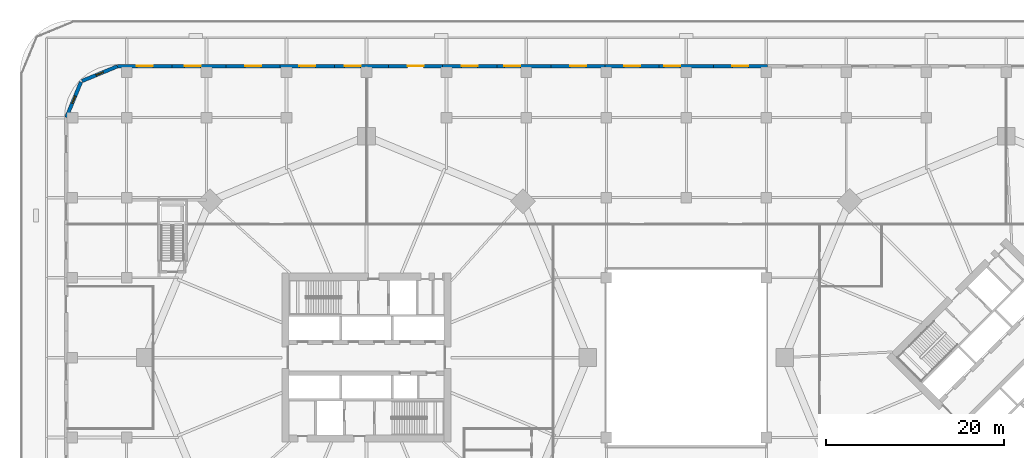
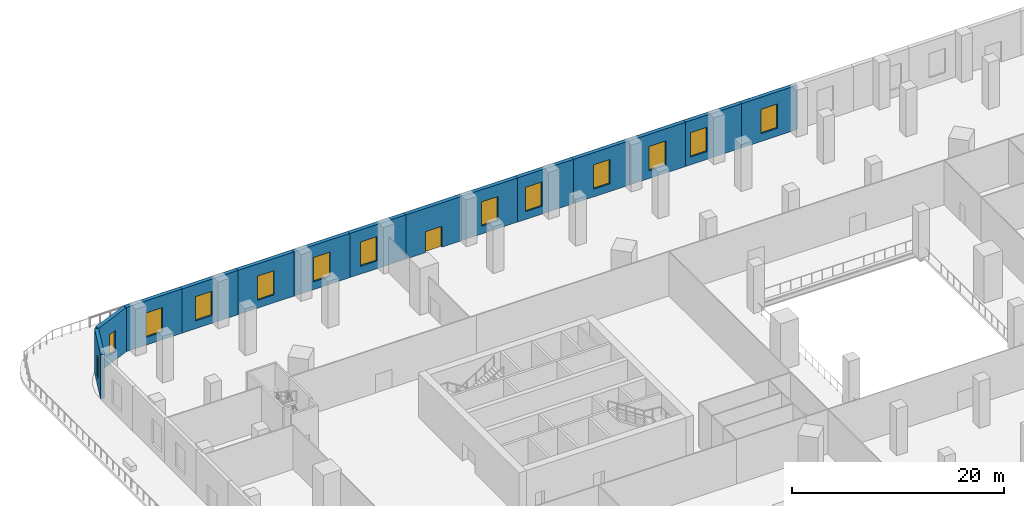
# One storey, part 10 of 20: 14 walls, 13 windows, 1 door, 14 openings.
"""IFC4 building model written with IfcOpenShell, lengths in metres."""

import ifcopenshell
import ifcopenshell.guid

model = None  # the IFC model being written
_history = None  # IfcOwnerHistory: only IFC2X3 demands one
_inside = {}  # id of a spatial element -> (the spatial element, [elements in it])
_under = {}  # id of a project, library or spatial element -> (it, [spatial elements below it])
_declared = {}  # id of a project -> (the project, [libraries it declares])
_typed = {}  # id of a type object -> (the type object, [elements of that type])
_made_of = {}  # id of a material, layer set ... -> (it, [elements and type objects made of it])


def new_model(schema):
    """Start an empty IFC model of exactly this schema.

    Asked for "IFC4X3", IfcOpenShell would pick the latest addendum, in which some entities
    have other attributes; the version numbers below select the first issue.
    IFC2X3 requires an IfcOwnerHistory on every rooted entity: one is made here for all.
    """
    global model, _history
    if schema == "IFC4X3":
        model = ifcopenshell.file(schema_version=(4, 3, 0, 0))
    else:
        model = ifcopenshell.file(schema=schema)
    _inside.clear()
    _under.clear()
    _declared.clear()
    _typed.clear()
    _made_of.clear()
    _history = None
    if model.schema == "IFC2X3":
        org = make("IfcOrganization", Name="unknown")
        user = make(
            "IfcPersonAndOrganization",
            ThePerson=make("IfcPerson", FamilyName="unknown"),
            TheOrganization=org,
        )
        app = make(
            "IfcApplication",
            ApplicationDeveloper=org,
            Version="unknown",
            ApplicationFullName="unknown",
            ApplicationIdentifier="unknown",
        )
        _history = make(
            "IfcOwnerHistory",
            OwningUser=user,
            OwningApplication=app,
            ChangeAction="ADDED",
            CreationDate=0,
        )
    return model


def make(cls, **values):
    """One entity of the class cls with the attributes given. An attribute that is None is left unset."""
    return model.create_entity(
        cls, **{name: value for name, value in values.items() if value is not None}
    )


def rooted(cls, **values):
    """An entity with a GlobalId (a new one), such as an element, a storey or a relation."""
    return make(cls, GlobalId=ifcopenshell.guid.new(), OwnerHistory=_history, **values)


def si_unit(unit_type, name, prefix=None):
    """IfcSIUnit, for example si_unit("LENGTHUNIT", "METRE", prefix="MILLI")."""
    return make("IfcSIUnit", UnitType=unit_type, Prefix=prefix, Name=name)


def assignment(units):
    """IfcUnitAssignment: the units of a project."""
    return None if units is None else make("IfcUnitAssignment", Units=units)


def point(xyz):
    """IfcCartesianPoint."""
    return None if xyz is None else make("IfcCartesianPoint", Coordinates=xyz)


def direction(xyz):
    """IfcDirection."""
    return None if xyz is None else make("IfcDirection", DirectionRatios=xyz)


def frame(location, z_axis=None, x_axis=None):
    """IfcAxis2Placement3D, a coordinate frame: its origin and axes. An axis left out is left unset."""
    return make(
        "IfcAxis2Placement3D",
        Location=point(location),
        Axis=direction(z_axis),
        RefDirection=direction(x_axis),
    )


def frame_2d(location, x_axis=None):
    """IfcAxis2Placement2D, a coordinate frame in the plane: its origin and x axis."""
    return make(
        "IfcAxis2Placement2D", Location=point(location), RefDirection=direction(x_axis)
    )


def origin():
    """The frame at (0, 0, 0) with its axes left unset."""
    return frame((0.0, 0.0, 0.0))


def place(relative_to, where):
    """IfcLocalPlacement: puts the frame where relative to a parent placement (None: the world)."""
    return make(
        "IfcLocalPlacement", PlacementRelTo=relative_to, RelativePlacement=where
    )


def context(
    kind, dimensions, precision=None, world=None, true_north=None, identifier=None
):
    """IfcGeometricRepresentationContext, for example the 3D "Model" context."""
    return make(
        "IfcGeometricRepresentationContext",
        ContextIdentifier=identifier,
        ContextType=kind,
        CoordinateSpaceDimension=dimensions,
        Precision=precision,
        WorldCoordinateSystem=world,
        TrueNorth=true_north,
    )


def subcontext(parent, identifier, kind, view, scale=None):
    """IfcGeometricRepresentationSubContext, for example "Body" below "Model"."""
    return make(
        "IfcGeometricRepresentationSubContext",
        ContextIdentifier=identifier,
        ContextType=kind,
        ParentContext=parent,
        TargetScale=scale,
        TargetView=view,
    )


def project(units=None, contexts=None):
    """IfcProject with its units and contexts."""
    return rooted(
        "IfcProject",
        Name="project",
        RepresentationContexts=contexts,
        UnitsInContext=assignment(units),
    )


def spatial(cls, under=None, at=None, **own):
    """A site, building, storey or space (cls), placed at a placement, below another one or the project."""
    s = rooted(cls, ObjectPlacement=at, **own)
    if under is not None:
        _under.setdefault(under.id(), (under, []))[1].append(s)
    return s


def profile(cls, at=None, kind="AREA", **sizes):
    """A parametric profile (cls). Its sizes go by their IFC names, for example OverallWidth=200.0."""
    return make(cls, ProfileType=kind, Position=at, **sizes)


def rectangle(**sizes):
    """IfcRectangleProfileDef."""
    return profile("IfcRectangleProfileDef", **sizes)


def extrude(swept, where, along, depth):
    """IfcExtrudedAreaSolid: the profile swept, set in the frame where, extruded along a direction by depth."""
    return make(
        "IfcExtrudedAreaSolid",
        SweptArea=swept,
        Position=where,
        ExtrudedDirection=direction(along),
        Depth=depth,
    )


def shape(context_of_items, identifier, shape_type, items):
    """IfcShapeRepresentation: the items that make up one representation, for example the "Body"."""
    return make(
        "IfcShapeRepresentation",
        ContextOfItems=context_of_items,
        RepresentationIdentifier=identifier,
        RepresentationType=shape_type,
        Items=items,
    )


def material(Name=None, Category=None):
    """IfcMaterial."""
    return make("IfcMaterial", Name=Name, Category=Category)


def layer(
    of_material, thickness, ventilated=None, Name=None, Category=None, Priority=None
):
    """IfcMaterialLayer: one layer of a wall or slab, of a material (None: an air gap)."""
    return make(
        "IfcMaterialLayer",
        Material=of_material,
        LayerThickness=thickness,
        IsVentilated=ventilated,
        Name=Name,
        Category=Category,
        Priority=Priority,
    )


def layer_set(layers, Name=None):
    """IfcMaterialLayerSet."""
    return make("IfcMaterialLayerSet", MaterialLayers=layers, LayerSetName=Name)


def made_of(thing, what):
    """Note that an element or type object is made of a material, layer set ...; save() writes the relation."""
    if what is not None:
        _made_of.setdefault(what.id(), (what, []))[1].append(thing)
    return thing


def type_object(cls, material=None, **own):
    """A type object (cls), such as IfcWallType, which elements share."""
    return made_of(rooted(cls, **own), material)


def element(
    cls,
    number,
    at=None,
    inside=None,
    cuts=None,
    type_object=None,
    material=None,
    context=None,
    identifier="Body",
    shape_type=None,
    held_by="IfcProductDefinitionShape",
    body=None,
    shapes=None,
    **own,
):
    """One element of the class cls, such as IfcWall. Its Tag is "e" and its number.

    at: its placement. inside: the storey or other place that contains it. cuts: it is an
    opening in that element (IfcRelVoidsElement). A single representation is given by context,
    identifier, shape_type and body (its items); several are given by shapes. held_by: the class
    of the entity that holds the representations. save() writes the other relations.
    """
    e = rooted(cls, Tag="e%d" % number, ObjectPlacement=at, **own)
    if body is not None:
        shapes = [shape(context, identifier, shape_type, body)]
    if shapes is not None:
        e.Representation = make(held_by, Representations=shapes)
    if inside is not None:
        _inside.setdefault(inside.id(), (inside, []))[1].append(e)
    if cuts is not None:
        rooted(
            "IfcRelVoidsElement", RelatingBuildingElement=cuts, RelatedOpeningElement=e
        )
    if type_object is not None:
        _typed.setdefault(type_object.id(), (type_object, []))[1].append(e)
    return made_of(e, material)


def fill(opening, filler):
    """IfcRelFillsElement: the door or window that sits in an opening."""
    return rooted(
        "IfcRelFillsElement",
        RelatingOpeningElement=opening,
        RelatedBuildingElement=filler,
    )


def aggregate(whole, parts):
    """IfcRelAggregates: a whole, such as a stair, and the parts it consists of."""
    return rooted("IfcRelAggregates", RelatingObject=whole, RelatedObjects=parts)


def save(model, path):
    """Write the relations noted so far, then the file.

    IfcRelAggregates (storeys below a building ...), IfcRelContainedInSpatialStructure (elements
    in a storey), IfcRelDefinesByType, IfcRelAssociatesMaterial and IfcRelDeclares: one each for
    every whole, place, type object, material and project.
    """
    for whole, parts in _under.values():
        aggregate(whole, parts)
    for where, things in _inside.values():
        rooted(
            "IfcRelContainedInSpatialStructure",
            RelatedElements=things,
            RelatingStructure=where,
        )
    for kind, things in _typed.values():
        rooted("IfcRelDefinesByType", RelatedObjects=things, RelatingType=kind)
    for what, things in _made_of.values():
        rooted("IfcRelAssociatesMaterial", RelatedObjects=things, RelatingMaterial=what)
    for by, libraries in _declared.values():
        rooted("IfcRelDeclares", RelatingContext=by, RelatedDefinitions=libraries)
    model.write(path)


model = new_model("IFC4")

# Units and contexts
model_context = context("Model", 3, precision=1e-05, world=origin(), true_north=direction((0.0, 1.0)))
body_context = subcontext(model_context, "Body", "Model", "MODEL_VIEW")
ifc_project = project(units=[si_unit("LENGTHUNIT", "METRE"), si_unit("AREAUNIT", "SQUARE_METRE"), si_unit("VOLUMEUNIT", "CUBIC_METRE"), si_unit("PLANEANGLEUNIT", "RADIAN"), si_unit("MASSUNIT", "GRAM", prefix="KILO")], contexts=[model_context])

# Site, building, storey
site_placement = place(None, origin())
site = spatial("IfcSite", under=ifc_project, at=site_placement, CompositionType="ELEMENT")
building_placement = place(site_placement, origin())
building = spatial("IfcBuilding", under=site, at=building_placement, Name="Ogive Gate Towers", CompositionType="ELEMENT")
storey_placement = place(building_placement, frame((0.0, 0.0, 7.199951171875)))
storey = spatial("IfcBuildingStorey", under=building, at=storey_placement, Name="L01", CompositionType="ELEMENT", Elevation=7.199951171875)

# Wall, opening, window
ifc_material_1 = material(Name="Precast concrete C40/50", Category="concrete")
ifc_layer = layer(ifc_material_1, 0.39990234375)
ifc_layer_set = layer_set([ifc_layer], Name="Podium wall 400")
wall_type = type_object("IfcWallType", Name="Podium wall 400", PredefinedType="SOLIDWALL", material=ifc_layer_set)
wall_1_placement = place(storey_placement, frame((9.142822265625, 32.800048828125, 0.0), z_axis=(0.0, 0.0, 1.0), x_axis=(-1.0, 0.0, 0.0)))
wall_1 = element("IfcWall", 1, at=wall_1_placement, inside=storey, type_object=wall_type, Name="Podium wall", PredefinedType="SOLIDWALL", context=body_context, shape_type="SweptSolid", body=[
    extrude(rectangle(XDim=6.09521484375, YDim=0.39990234375, at=frame_2d((3.047607421875, 0.0))), origin(), (0.0, 0.0, 1.0), 5.10009765625),
])
opening_1_placement = place(wall_1_placement, frame((2.147705078125, 0.0, 0.89990234375)))
opening_1 = element("IfcOpeningElement", 2, at=opening_1_placement, cuts=wall_1, Name="Opening WN1", PredefinedType="OPENING", context=body_context, shape_type="SweptSolid", body=[
    extrude(rectangle(XDim=1.800048828125, YDim=2.800048828125, at=frame_2d((0.89990234375, 1.39990234375))), frame((0.0, 0.2099609375, 0.0), z_axis=(0.0, -1.0, 0.0), x_axis=(1.0, 0.0, 0.0)), (0.0, 0.0, 1.0), 0.419921875),
])
ifc_material_2 = material(Name="Clear glass", Category="glass")
window_type_1 = type_object("IfcWindowType", Name="Podium window 1800 x 2800", PartitioningType="SINGLE_PANEL", PredefinedType="WINDOW", material=ifc_material_2)
window_1_placement = place(opening_1_placement, origin())
window_1 = element("IfcWindow", 3, at=window_1_placement, inside=storey, type_object=window_type_1, Name="Podium window", OverallHeight=2.800048828125, OverallWidth=1.800048828125, PartitioningType="SINGLE_PANEL", PredefinedType="WINDOW", context=body_context, shape_type="SweptSolid", body=[
    extrude(rectangle(XDim=1.800048828125, YDim=2.800048828125, at=frame_2d((0.89990234375, 1.39990234375))), frame((0.0, 0.030029296875, 0.0), z_axis=(0.0, -1.0, 0.0), x_axis=(1.0, 0.0, 0.0)), (0.0, 0.0, 1.0), 0.06005859375),
])
fill(opening_1, window_1)

wall_2_placement = place(storey_placement, frame((3.047607421875, 32.800048828125, 0.0), z_axis=(0.0, 0.0, 1.0), x_axis=(-1.0, 0.0, 0.0)))
wall_2 = element("IfcWall", 4, at=wall_2_placement, inside=storey, type_object=wall_type, Name="Podium wall", PredefinedType="SOLIDWALL", context=body_context, shape_type="SweptSolid", body=[
    extrude(rectangle(XDim=6.09521484375, YDim=0.39990234375, at=frame_2d((3.047607421875, 0.0))), origin(), (0.0, 0.0, 1.0), 5.10009765625),
])
opening_2_placement = place(wall_2_placement, frame((3.74755859375, 0.0, 0.89990234375)))
opening_2 = element("IfcOpeningElement", 5, at=opening_2_placement, cuts=wall_2, Name="Opening WN1", PredefinedType="OPENING", context=body_context, shape_type="SweptSolid", body=[
    extrude(rectangle(XDim=1.800048828125, YDim=2.800048828125, at=frame_2d((0.89990234375, 1.39990234375))), frame((0.0, 0.2099609375, 0.0), z_axis=(0.0, -1.0, 0.0), x_axis=(1.0, 0.0, 0.0)), (0.0, 0.0, 1.0), 0.419921875),
])
window_2_placement = place(opening_2_placement, origin())
window_2 = element("IfcWindow", 6, at=window_2_placement, inside=storey, type_object=window_type_1, Name="Podium window", OverallHeight=2.800048828125, OverallWidth=1.800048828125, PartitioningType="SINGLE_PANEL", PredefinedType="WINDOW", context=body_context, shape_type="SweptSolid", body=[
    extrude(rectangle(XDim=1.800048828125, YDim=2.800048828125, at=frame_2d((0.89990234375, 1.39990234375))), frame((0.0, 0.030029296875, 0.0), z_axis=(0.0, -1.0, 0.0), x_axis=(1.0, 0.0, 0.0)), (0.0, 0.0, 1.0), 0.06005859375),
])
fill(opening_2, window_2)

wall_3_placement = place(storey_placement, frame((-3.047607421875, 32.800048828125, 0.0), z_axis=(0.0, 0.0, 1.0), x_axis=(-1.0, 0.0, 0.0)))
wall_3 = element("IfcWall", 7, at=wall_3_placement, inside=storey, type_object=wall_type, Name="Podium wall", PredefinedType="SOLIDWALL", context=body_context, shape_type="SweptSolid", body=[
    extrude(rectangle(XDim=6.09521484375, YDim=0.39990234375, at=frame_2d((3.047607421875, 0.0))), origin(), (0.0, 0.0, 1.0), 5.10009765625),
])
opening_3_placement = place(wall_3_placement, frame((2.147705078125, 0.0, 0.89990234375)))
opening_3 = element("IfcOpeningElement", 8, at=opening_3_placement, cuts=wall_3, Name="Opening WN1", PredefinedType="OPENING", context=body_context, shape_type="SweptSolid", body=[
    extrude(rectangle(XDim=1.800048828125, YDim=2.800048828125, at=frame_2d((0.89990234375, 1.39990234375))), frame((0.0, 0.2099609375, 0.0), z_axis=(0.0, -1.0, 0.0), x_axis=(1.0, 0.0, 0.0)), (0.0, 0.0, 1.0), 0.419921875),
])
window_3_placement = place(opening_3_placement, origin())
window_3 = element("IfcWindow", 9, at=window_3_placement, inside=storey, type_object=window_type_1, Name="Podium window", OverallHeight=2.800048828125, OverallWidth=1.800048828125, PartitioningType="SINGLE_PANEL", PredefinedType="WINDOW", context=body_context, shape_type="SweptSolid", body=[
    extrude(rectangle(XDim=1.800048828125, YDim=2.800048828125, at=frame_2d((0.89990234375, 1.39990234375))), frame((0.0, 0.030029296875, 0.0), z_axis=(0.0, -1.0, 0.0), x_axis=(1.0, 0.0, 0.0)), (0.0, 0.0, 1.0), 0.06005859375),
])
fill(opening_3, window_3)

wall_4_placement = place(storey_placement, frame((-9.142822265625, 32.800048828125, 0.0), z_axis=(0.0, 0.0, 1.0), x_axis=(-1.0, 0.0, 0.0)))
wall_4 = element("IfcWall", 10, at=wall_4_placement, inside=storey, type_object=wall_type, Name="Podium wall", PredefinedType="SOLIDWALL", context=body_context, shape_type="SweptSolid", body=[
    extrude(rectangle(XDim=6.09521484375, YDim=0.39990234375, at=frame_2d((3.047607421875, 0.0))), origin(), (0.0, 0.0, 1.0), 5.10009765625),
])
opening_4_placement = place(wall_4_placement, frame((2.147705078125, 0.0, 0.89990234375)))
opening_4 = element("IfcOpeningElement", 11, at=opening_4_placement, cuts=wall_4, Name="Opening WN1", PredefinedType="OPENING", context=body_context, shape_type="SweptSolid", body=[
    extrude(rectangle(XDim=1.800048828125, YDim=2.800048828125, at=frame_2d((0.89990234375, 1.39990234375))), frame((0.0, 0.2099609375, 0.0), z_axis=(0.0, -1.0, 0.0), x_axis=(1.0, 0.0, 0.0)), (0.0, 0.0, 1.0), 0.419921875),
])
window_4_placement = place(opening_4_placement, origin())
window_4 = element("IfcWindow", 12, at=window_4_placement, inside=storey, type_object=window_type_1, Name="Podium window", OverallHeight=2.800048828125, OverallWidth=1.800048828125, PartitioningType="SINGLE_PANEL", PredefinedType="WINDOW", context=body_context, shape_type="SweptSolid", body=[
    extrude(rectangle(XDim=1.800048828125, YDim=2.800048828125, at=frame_2d((0.89990234375, 1.39990234375))), frame((0.0, 0.030029296875, 0.0), z_axis=(0.0, -1.0, 0.0), x_axis=(1.0, 0.0, 0.0)), (0.0, 0.0, 1.0), 0.06005859375),
])
fill(opening_4, window_4)

wall_5_placement = place(storey_placement, frame((-15.238037109375, 32.800048828125, 0.0), z_axis=(0.0, 0.0, 1.0), x_axis=(-1.0, 0.0, 0.0)))
wall_5 = element("IfcWall", 13, at=wall_5_placement, inside=storey, type_object=wall_type, Name="Podium wall", PredefinedType="SOLIDWALL", context=body_context, shape_type="SweptSolid", body=[
    extrude(rectangle(XDim=6.09521484375, YDim=0.39990234375, at=frame_2d((3.047607421875, 0.0))), origin(), (0.0, 0.0, 1.0), 5.10009765625),
])
opening_5_placement = place(wall_5_placement, frame((3.447509765625, 0.0, 0.89990234375)))
opening_5 = element("IfcOpeningElement", 14, at=opening_5_placement, cuts=wall_5, Name="Opening WN1", PredefinedType="OPENING", context=body_context, shape_type="SweptSolid", body=[
    extrude(rectangle(XDim=1.800048828125, YDim=2.800048828125, at=frame_2d((0.89990234375, 1.39990234375))), frame((0.0, 0.2099609375, 0.0), z_axis=(0.0, -1.0, 0.0), x_axis=(1.0, 0.0, 0.0)), (0.0, 0.0, 1.0), 0.419921875),
])
window_5_placement = place(opening_5_placement, origin())
window_5 = element("IfcWindow", 15, at=window_5_placement, inside=storey, type_object=window_type_1, Name="Podium window", OverallHeight=2.800048828125, OverallWidth=1.800048828125, PartitioningType="SINGLE_PANEL", PredefinedType="WINDOW", context=body_context, shape_type="SweptSolid", body=[
    extrude(rectangle(XDim=1.800048828125, YDim=2.800048828125, at=frame_2d((0.89990234375, 1.39990234375))), frame((0.0, 0.030029296875, 0.0), z_axis=(0.0, -1.0, 0.0), x_axis=(1.0, 0.0, 0.0)), (0.0, 0.0, 1.0), 0.06005859375),
])
fill(opening_5, window_5)

wall_6_placement = place(storey_placement, frame((-21.333251953125, 32.800048828125, 0.0), z_axis=(0.0, 0.0, 1.0), x_axis=(-1.0, 0.0, 0.0)))
wall_6 = element("IfcWall", 16, at=wall_6_placement, inside=storey, type_object=wall_type, Name="Podium wall", PredefinedType="SOLIDWALL", context=body_context, shape_type="SweptSolid", body=[
    extrude(rectangle(XDim=6.095458984375, YDim=0.39990234375, at=frame_2d((3.0478515625, 0.0))), origin(), (0.0, 0.0, 1.0), 5.10009765625),
])
opening_6_placement = place(wall_6_placement, frame((2.147705078125, 0.0, 0.89990234375)))
opening_6 = element("IfcOpeningElement", 17, at=opening_6_placement, cuts=wall_6, Name="Opening WN1", PredefinedType="OPENING", context=body_context, shape_type="SweptSolid", body=[
    extrude(rectangle(XDim=1.800048828125, YDim=2.800048828125, at=frame_2d((0.89990234375, 1.39990234375))), frame((0.0, 0.2099609375, 0.0), z_axis=(0.0, -1.0, 0.0), x_axis=(1.0, 0.0, 0.0)), (0.0, 0.0, 1.0), 0.419921875),
])
window_6_placement = place(opening_6_placement, origin())
window_6 = element("IfcWindow", 18, at=window_6_placement, inside=storey, type_object=window_type_1, Name="Podium window", OverallHeight=2.800048828125, OverallWidth=1.800048828125, PartitioningType="SINGLE_PANEL", PredefinedType="WINDOW", context=body_context, shape_type="SweptSolid", body=[
    extrude(rectangle(XDim=1.800048828125, YDim=2.800048828125, at=frame_2d((0.89990234375, 1.39990234375))), frame((0.0, 0.030029296875, 0.0), z_axis=(0.0, -1.0, 0.0), x_axis=(1.0, 0.0, 0.0)), (0.0, 0.0, 1.0), 0.06005859375),
])
fill(opening_6, window_6)

# Wall, opening, door
wall_7_placement = place(storey_placement, frame((-27.4287109375, 32.800048828125, 0.0), z_axis=(0.0, 0.0, 1.0), x_axis=(-1.0, 0.0, 0.0)))
wall_7 = element("IfcWall", 19, at=wall_7_placement, inside=storey, type_object=wall_type, Name="Podium wall", PredefinedType="SOLIDWALL", context=body_context, shape_type="SweptSolid", body=[
    extrude(rectangle(XDim=6.094970703125, YDim=0.39990234375, at=frame_2d((3.04736328125, 0.0))), origin(), (0.0, 0.0, 1.0), 5.10009765625),
])
opening_7_placement = place(wall_7_placement, frame((2.147705078125, 0.0, 0.0)))
opening_7 = element("IfcOpeningElement", 20, at=opening_7_placement, cuts=wall_7, Name="Opening ED3-L01-03", PredefinedType="OPENING", context=body_context, shape_type="SweptSolid", body=[
    extrude(rectangle(XDim=1.800048828125, YDim=2.39990234375, at=frame_2d((0.89990234375, 1.199951171875))), frame((0.0, 0.2099609375, 0.0), z_axis=(0.0, -1.0, 0.0), x_axis=(1.0, 0.0, 0.0)), (0.0, 0.0, 1.0), 0.419921875),
])
ifc_material_3 = material(Name="Pale metal aluminium", Category="aluminium")
door_type = type_object("IfcDoorType", Name="Terrace door 1800 x 2400", OperationType="DOUBLE_DOOR_SINGLE_SWING", PredefinedType="DOOR", material=ifc_material_3)
door_placement = place(opening_7_placement, origin())
door = element("IfcDoor", 21, at=door_placement, inside=storey, type_object=door_type, Name="Exterior door", OperationType="SINGLE_SWING_LEFT", OverallHeight=2.39990234375, OverallWidth=1.800048828125, PredefinedType="DOOR", context=body_context, shape_type="SweptSolid", body=[
    extrude(rectangle(XDim=1.800048828125, YDim=2.39990234375, at=frame_2d((0.89990234375, 1.199951171875))), frame((0.0, 0.02490234375, 0.0), z_axis=(0.0, -1.0, 0.0), x_axis=(1.0, 0.0, 0.0)), (0.0, 0.0, 1.0), 0.050048828125),
])
fill(opening_7, door)

# Wall, opening, window
wall_8_placement = place(storey_placement, frame((-33.523681640625, 32.800048828125, 0.0), z_axis=(0.0, 0.0, 1.0), x_axis=(-1.0, 0.0, 0.0)))
wall_8 = element("IfcWall", 22, at=wall_8_placement, inside=storey, type_object=wall_type, Name="Podium wall", PredefinedType="SOLIDWALL", context=body_context, shape_type="SweptSolid", body=[
    extrude(rectangle(XDim=6.09521484375, YDim=0.39990234375, at=frame_2d((3.047607421875, 0.0))), origin(), (0.0, 0.0, 1.0), 5.10009765625),
])
opening_8_placement = place(wall_8_placement, frame((3.147705078125, 0.0, 0.89990234375)))
opening_8 = element("IfcOpeningElement", 23, at=opening_8_placement, cuts=wall_8, Name="Opening WN1", PredefinedType="OPENING", context=body_context, shape_type="SweptSolid", body=[
    extrude(rectangle(XDim=1.800048828125, YDim=2.800048828125, at=frame_2d((0.89990234375, 1.39990234375))), frame((0.0, 0.2099609375, 0.0), z_axis=(0.0, -1.0, 0.0), x_axis=(1.0, 0.0, 0.0)), (0.0, 0.0, 1.0), 0.419921875),
])
window_7_placement = place(opening_8_placement, origin())
window_7 = element("IfcWindow", 24, at=window_7_placement, inside=storey, type_object=window_type_1, Name="Podium window", OverallHeight=2.800048828125, OverallWidth=1.800048828125, PartitioningType="SINGLE_PANEL", PredefinedType="WINDOW", context=body_context, shape_type="SweptSolid", body=[
    extrude(rectangle(XDim=1.800048828125, YDim=2.800048828125, at=frame_2d((0.89990234375, 1.39990234375))), frame((0.0, 0.030029296875, 0.0), z_axis=(0.0, -1.0, 0.0), x_axis=(1.0, 0.0, 0.0)), (0.0, 0.0, 1.0), 0.06005859375),
])
fill(opening_8, window_7)

wall_9_placement = place(storey_placement, frame((-39.618896484375, 32.800048828125, 0.0), z_axis=(0.0, 0.0, 1.0), x_axis=(-1.0, 0.0, 0.0)))
wall_9 = element("IfcWall", 25, at=wall_9_placement, inside=storey, type_object=wall_type, Name="Podium wall", PredefinedType="SOLIDWALL", context=body_context, shape_type="SweptSolid", body=[
    extrude(rectangle(XDim=6.095458984375, YDim=0.39990234375, at=frame_2d((3.0478515625, 0.0))), origin(), (0.0, 0.0, 1.0), 5.10009765625),
])
opening_9_placement = place(wall_9_placement, frame((2.147705078125, 0.0, 0.89990234375)))
opening_9 = element("IfcOpeningElement", 26, at=opening_9_placement, cuts=wall_9, Name="Opening WN1", PredefinedType="OPENING", context=body_context, shape_type="SweptSolid", body=[
    extrude(rectangle(XDim=1.800048828125, YDim=2.800048828125, at=frame_2d((0.89990234375, 1.39990234375))), frame((0.0, 0.2099609375, 0.0), z_axis=(0.0, -1.0, 0.0), x_axis=(1.0, 0.0, 0.0)), (0.0, 0.0, 1.0), 0.419921875),
])
window_8_placement = place(opening_9_placement, origin())
window_8 = element("IfcWindow", 27, at=window_8_placement, inside=storey, type_object=window_type_1, Name="Podium window", OverallHeight=2.800048828125, OverallWidth=1.800048828125, PartitioningType="SINGLE_PANEL", PredefinedType="WINDOW", context=body_context, shape_type="SweptSolid", body=[
    extrude(rectangle(XDim=1.800048828125, YDim=2.800048828125, at=frame_2d((0.89990234375, 1.39990234375))), frame((0.0, 0.030029296875, 0.0), z_axis=(0.0, -1.0, 0.0), x_axis=(1.0, 0.0, 0.0)), (0.0, 0.0, 1.0), 0.06005859375),
])
fill(opening_9, window_8)

wall_10_placement = place(storey_placement, frame((-45.71435546875, 32.800048828125, 0.0), z_axis=(0.0, 0.0, 1.0), x_axis=(-1.0, 0.0, 0.0)))
wall_10 = element("IfcWall", 28, at=wall_10_placement, inside=storey, type_object=wall_type, Name="Podium wall", PredefinedType="SOLIDWALL", context=body_context, shape_type="SweptSolid", body=[
    extrude(rectangle(XDim=6.09521484375, YDim=0.39990234375, at=frame_2d((3.047607421875, 0.0))), origin(), (0.0, 0.0, 1.0), 5.10009765625),
])
opening_10_placement = place(wall_10_placement, frame((2.147705078125, 0.0, 0.89990234375)))
opening_10 = element("IfcOpeningElement", 29, at=opening_10_placement, cuts=wall_10, Name="Opening WN1", PredefinedType="OPENING", context=body_context, shape_type="SweptSolid", body=[
    extrude(rectangle(XDim=1.800048828125, YDim=2.800048828125, at=frame_2d((0.89990234375, 1.39990234375))), frame((0.0, 0.2099609375, 0.0), z_axis=(0.0, -1.0, 0.0), x_axis=(1.0, 0.0, 0.0)), (0.0, 0.0, 1.0), 0.419921875),
])
window_9_placement = place(opening_10_placement, origin())
window_9 = element("IfcWindow", 30, at=window_9_placement, inside=storey, type_object=window_type_1, Name="Podium window", OverallHeight=2.800048828125, OverallWidth=1.800048828125, PartitioningType="SINGLE_PANEL", PredefinedType="WINDOW", context=body_context, shape_type="SweptSolid", body=[
    extrude(rectangle(XDim=1.800048828125, YDim=2.800048828125, at=frame_2d((0.89990234375, 1.39990234375))), frame((0.0, 0.030029296875, 0.0), z_axis=(0.0, -1.0, 0.0), x_axis=(1.0, 0.0, 0.0)), (0.0, 0.0, 1.0), 0.06005859375),
])
fill(opening_10, window_9)

wall_11_placement = place(storey_placement, frame((-51.8095703125, 32.800048828125, 0.0), z_axis=(0.0, 0.0, 1.0), x_axis=(-1.0, 0.0, 0.0)))
wall_11 = element("IfcWall", 31, at=wall_11_placement, inside=storey, type_object=wall_type, Name="Podium wall", PredefinedType="SOLIDWALL", context=body_context, shape_type="SweptSolid", body=[
    extrude(rectangle(XDim=6.09521484375, YDim=0.39990234375, at=frame_2d((3.047607421875, 0.0))), origin(), (0.0, 0.0, 1.0), 5.10009765625),
])
opening_11_placement = place(wall_11_placement, frame((2.84765625, 0.0, 0.89990234375)))
opening_11 = element("IfcOpeningElement", 32, at=opening_11_placement, cuts=wall_11, Name="Opening WN1", PredefinedType="OPENING", context=body_context, shape_type="SweptSolid", body=[
    extrude(rectangle(XDim=1.800048828125, YDim=2.800048828125, at=frame_2d((0.89990234375, 1.39990234375))), frame((0.0, 0.2099609375, 0.0), z_axis=(0.0, -1.0, 0.0), x_axis=(1.0, 0.0, 0.0)), (0.0, 0.0, 1.0), 0.419921875),
])
window_10_placement = place(opening_11_placement, origin())
window_10 = element("IfcWindow", 33, at=window_10_placement, inside=storey, type_object=window_type_1, Name="Podium window", OverallHeight=2.800048828125, OverallWidth=1.800048828125, PartitioningType="SINGLE_PANEL", PredefinedType="WINDOW", context=body_context, shape_type="SweptSolid", body=[
    extrude(rectangle(XDim=1.800048828125, YDim=2.800048828125, at=frame_2d((0.89990234375, 1.39990234375))), frame((0.0, 0.030029296875, 0.0), z_axis=(0.0, -1.0, 0.0), x_axis=(1.0, 0.0, 0.0)), (0.0, 0.0, 1.0), 0.06005859375),
])
fill(opening_11, window_10)

wall_12_placement = place(storey_placement, frame((-57.90478515625, 32.800048828125, 0.0), z_axis=(0.0, 0.0, 1.0), x_axis=(-1.0, 0.0, 0.0)))
wall_12 = element("IfcWall", 34, at=wall_12_placement, inside=storey, type_object=wall_type, Name="Podium wall", PredefinedType="SOLIDWALL", context=body_context, shape_type="SweptSolid", body=[
    extrude(rectangle(XDim=6.09521484375, YDim=0.39990234375, at=frame_2d((3.047607421875, 0.0))), origin(), (0.0, 0.0, 1.0), 5.10009765625),
])
opening_12_placement = place(wall_12_placement, frame((2.147705078125, 0.0, 0.89990234375)))
opening_12 = element("IfcOpeningElement", 35, at=opening_12_placement, cuts=wall_12, Name="Opening WN1", PredefinedType="OPENING", context=body_context, shape_type="SweptSolid", body=[
    extrude(rectangle(XDim=1.800048828125, YDim=2.800048828125, at=frame_2d((0.89990234375, 1.39990234375))), frame((0.0, 0.2099609375, 0.0), z_axis=(0.0, -1.0, 0.0), x_axis=(1.0, 0.0, 0.0)), (0.0, 0.0, 1.0), 0.419921875),
])
window_11_placement = place(opening_12_placement, origin())
window_11 = element("IfcWindow", 36, at=window_11_placement, inside=storey, type_object=window_type_1, Name="Podium window", OverallHeight=2.800048828125, OverallWidth=1.800048828125, PartitioningType="SINGLE_PANEL", PredefinedType="WINDOW", context=body_context, shape_type="SweptSolid", body=[
    extrude(rectangle(XDim=1.800048828125, YDim=2.800048828125, at=frame_2d((0.89990234375, 1.39990234375))), frame((0.0, 0.030029296875, 0.0), z_axis=(0.0, -1.0, 0.0), x_axis=(1.0, 0.0, 0.0)), (0.0, 0.0, 1.0), 0.06005859375),
])
fill(opening_12, window_11)

wall_13_placement = place(storey_placement, frame((-64.036865234375, 32.784912109375, 0.0), z_axis=(0.0, 0.0, 1.0), x_axis=(-0.923854820772, -0.382743086333, 0.0)))
wall_13 = element("IfcWall", 37, at=wall_13_placement, inside=storey, type_object=wall_type, Name="Podium wall", PredefinedType="SOLIDWALL", context=body_context, shape_type="SweptSolid", body=[
    extrude(rectangle(XDim=4.31640625, YDim=0.39990234375, at=frame_2d((2.158203125, 0.0))), origin(), (0.0, 0.0, 1.0), 5.10009765625),
])
opening_13_placement = place(wall_13_placement, frame((1.708251953125, 0.0, 1.0)))
opening_13 = element("IfcOpeningElement", 38, at=opening_13_placement, cuts=wall_13, Name="Opening WN5", PredefinedType="OPENING", context=body_context, shape_type="SweptSolid", body=[
    extrude(rectangle(XDim=0.89990234375, YDim=2.39990234375, at=frame_2d((0.449951171875, 1.199951171875))), frame((0.0, 0.2099609375, 0.0), z_axis=(0.0, -1.0, 0.0), x_axis=(1.0, 0.0, 0.0)), (0.0, 0.0, 1.0), 0.419921875),
])
window_type_2 = type_object("IfcWindowType", Name="Narrow window 900 x 2400", PartitioningType="SINGLE_PANEL", PredefinedType="WINDOW", material=ifc_material_2)
window_12_placement = place(opening_13_placement, origin())
window_12 = element("IfcWindow", 39, at=window_12_placement, inside=storey, type_object=window_type_2, Name="Podium window", OverallHeight=2.39990234375, OverallWidth=0.89990234375, PartitioningType="SINGLE_PANEL", PredefinedType="WINDOW", context=body_context, shape_type="SweptSolid", body=[
    extrude(rectangle(XDim=0.89990234375, YDim=2.39990234375, at=frame_2d((0.449951171875, 1.199951171875))), frame((0.0, 0.030029296875, 0.0), z_axis=(0.0, -1.0, 0.0), x_axis=(1.0, 0.0, 0.0)), (0.0, 0.0, 1.0), 0.06005859375),
])
fill(opening_13, window_12)

wall_14_placement = place(storey_placement, frame((-68.1328125, 31.024658203125, 0.0), z_axis=(0.0, 0.0, 1.0), x_axis=(-0.382743086333, -0.923854820772, 0.0)))
wall_14 = element("IfcWall", 40, at=wall_14_placement, inside=storey, type_object=wall_type, Name="Podium wall", PredefinedType="SOLIDWALL", context=body_context, shape_type="SweptSolid", body=[
    extrude(rectangle(XDim=4.31640625, YDim=0.39990234375, at=frame_2d((2.158203125, 0.0))), origin(), (0.0, 0.0, 1.0), 5.10009765625),
])
opening_14_placement = place(wall_14_placement, frame((1.708251953125, 0.0, 1.0)))
opening_14 = element("IfcOpeningElement", 41, at=opening_14_placement, cuts=wall_14, Name="Opening WN5", PredefinedType="OPENING", context=body_context, shape_type="SweptSolid", body=[
    extrude(rectangle(XDim=0.89990234375, YDim=2.39990234375, at=frame_2d((0.449951171875, 1.199951171875))), frame((0.0, 0.2099609375, 0.0), z_axis=(0.0, -1.0, 0.0), x_axis=(1.0, 0.0, 0.0)), (0.0, 0.0, 1.0), 0.419921875),
])
window_13_placement = place(opening_14_placement, origin())
window_13 = element("IfcWindow", 42, at=window_13_placement, inside=storey, type_object=window_type_2, Name="Podium window", OverallHeight=2.39990234375, OverallWidth=0.89990234375, PartitioningType="SINGLE_PANEL", PredefinedType="WINDOW", context=body_context, shape_type="SweptSolid", body=[
    extrude(rectangle(XDim=0.89990234375, YDim=2.39990234375, at=frame_2d((0.449951171875, 1.199951171875))), frame((0.0, 0.030029296875, 0.0), z_axis=(0.0, -1.0, 0.0), x_axis=(1.0, 0.0, 0.0)), (0.0, 0.0, 1.0), 0.06005859375),
])
fill(opening_14, window_13)

save(model, "model.ifc")
